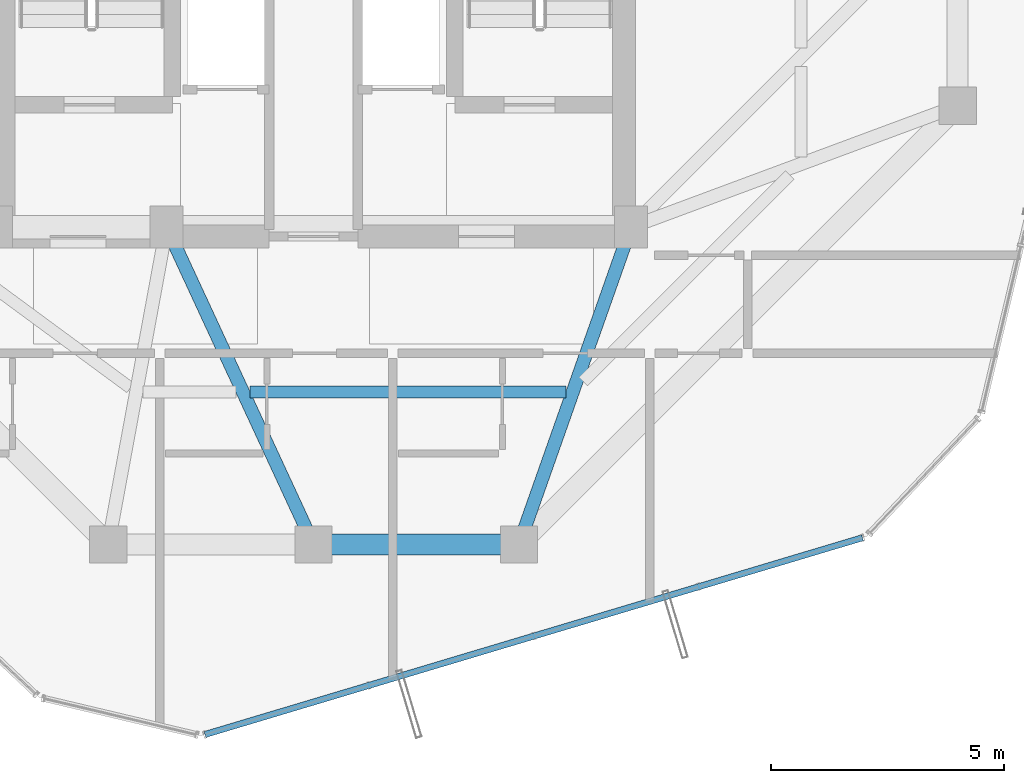
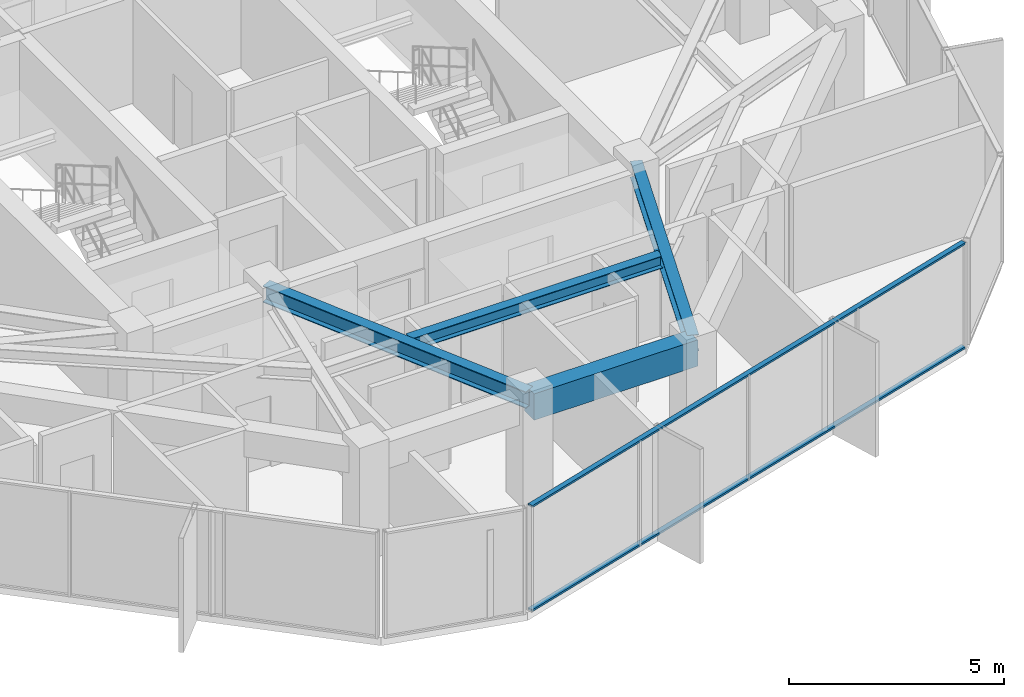
# One storey, part 8 of 28: 4 beams, 2 members, 1 element without a shape of its own.
"""IFC4 building model written with IfcOpenShell, lengths in metres."""

from ifc_helpers import new_model, si_unit, direction, frame, origin, origin_2d, place, context, subcontext, project, spatial, rectangle, hollow_rectangle, i_section, extrude, source, transform, mapped, material, layer, layer_set, material_profile, profile_set, type_object, element, aggregate, save


model = new_model("IFC4")

# Units and contexts
model_context = context("Model", 3, precision=1e-05, world=origin(), true_north=direction((0.0, 1.0)))
body_context = subcontext(model_context, "Body", "Model", "MODEL_VIEW")
ifc_project = project(units=[si_unit("LENGTHUNIT", "METRE"), si_unit("AREAUNIT", "SQUARE_METRE"), si_unit("VOLUMEUNIT", "CUBIC_METRE"), si_unit("PLANEANGLEUNIT", "RADIAN"), si_unit("MASSUNIT", "GRAM", prefix="KILO")], contexts=[model_context])

# Site, building, storey
site_placement = place(None, origin())
site = spatial("IfcSite", under=ifc_project, at=site_placement, CompositionType="ELEMENT")
building_placement = place(site_placement, origin())
building = spatial("IfcBuilding", under=site, at=building_placement, Name="Veraguas Prism Commons", CompositionType="ELEMENT")
storey_placement = place(building_placement, frame((0.0, 0.0, 254.5)))
storey = spatial("IfcBuildingStorey", under=building, at=storey_placement, Name="L72", CompositionType="ELEMENT", Elevation=254.5)

# Beams
ifc_material_1 = material(Name="Concrete C50/60", Category="concrete")
ifc_material_profile_1 = material_profile(ifc_material_1, rectangle(XDim=0.449951171875, YDim=0.75, at=origin_2d()), Name="RC450X750")
ifc_profile_set_1 = profile_set([ifc_material_profile_1], Name="Concrete C50/60")
beam_type_1 = type_object("IfcBeamType", Name="Perimeter Spandrel Upper RC 450x750", PredefinedType="SPANDREL", material=ifc_profile_set_1)
beam_1_placement = place(storey_placement, frame((24.0, 10.199951171875, 2.639892578125), z_axis=(1.0, 0.0, 0.0), x_axis=(0.0, 1.0, 0.0)))
element("IfcBeam", 1, at=beam_1_placement, inside=storey, type_object=beam_type_1, Name="Perimeter Spandrel Beam L72-SP11", PredefinedType="SPANDREL", context=body_context, shape_type="SweptSolid", body=[
    extrude(rectangle(XDim=0.449951171875, YDim=0.75, at=origin_2d()), origin(), (0.0, 0.0, 1.0), 4.39990234375),
])
ifc_material_2 = material(Name="Steel ASTM A992 Grade 50", Category="steel")
ifc_material_profile_2 = material_profile(ifc_material_2, i_section(OverallWidth=0.25390625, OverallDepth=0.35302734375, WebThickness=0.009521484375, FlangeThickness=0.016357421875, at=origin_2d()), Name="W360X91")
ifc_profile_set_2 = profile_set([ifc_material_profile_2], Name="Steel ASTM A992 Grade 50")
beam_type_2 = type_object("IfcBeamType", Name="Upper Floor Joist W360x91", PredefinedType="JOIST", material=ifc_profile_set_2)
beam_2_placement = place(storey_placement, frame((22.6416015625, 13.464111328125, 2.83837890625), z_axis=(1.0, 0.0, 0.0), x_axis=(0.0, 1.0, 0.0)))
element("IfcBeam", 2, at=beam_2_placement, inside=storey, type_object=beam_type_2, Name="Composite Floor Joist L72-JS11", PredefinedType="JOIST", context=body_context, shape_type="SweptSolid", body=[
    extrude(i_section(OverallWidth=0.25390625, OverallDepth=0.35302734375, WebThickness=0.009521484375, FlangeThickness=0.016357421875, at=origin_2d()), origin(), (0.0, 0.0, 1.0), 6.762451171875),
])
ifc_material_profile_3 = material_profile(ifc_material_2, i_section(OverallWidth=0.282958984375, OverallDepth=0.471923828125, WebThickness=0.013671875, FlangeThickness=0.022216796875, at=origin_2d()), Name="W460X144")
ifc_profile_set_3 = profile_set([ifc_material_profile_3], Name="Steel ASTM A992 Grade 50")
beam_type_3 = type_object("IfcBeamType", Name="Zone 4 Radial Girder W460x144", PredefinedType="BEAM", material=ifc_profile_set_3)
beam_3_placement = place(storey_placement, frame((24.0, 10.199951171875, 2.779052734375), z_axis=(-0.420313834543, 0.907378796585, 0.0), x_axis=(-0.907378796585, -0.420313834543, 0.0)))
element("IfcBeam", 3, at=beam_3_placement, inside=storey, type_object=beam_type_3, Name="Radial Floor Girder L72-RD11", PredefinedType="BEAM", context=body_context, shape_type="SweptSolid", body=[
    extrude(i_section(OverallWidth=0.282958984375, OverallDepth=0.471923828125, WebThickness=0.013671875, FlangeThickness=0.022216796875, at=origin_2d()), origin(), (0.0, 0.0, 1.0), 7.494140625),
])
beam_4_placement = place(storey_placement, frame((28.39990234375, 10.199951171875, 2.779052734375), z_axis=(0.332836055941, 0.942984708182, 0.0), x_axis=(-0.942984708182, 0.332836055941, 0.0)))
element("IfcBeam", 4, at=beam_4_placement, inside=storey, type_object=beam_type_3, Name="Radial Floor Girder L72-RD12", PredefinedType="BEAM", context=body_context, shape_type="SweptSolid", body=[
    extrude(i_section(OverallWidth=0.282958984375, OverallDepth=0.471923828125, WebThickness=0.013671875, FlangeThickness=0.022216796875, at=origin_2d()), origin(), (0.0, 0.0, 1.0), 7.211181640625),
])

# Curtain wall, members
ifc_material_3 = material(Name="Anodised aluminium EN AW-6063 T6", Category="aluminium")
ifc_layer = layer(ifc_material_3, 0.14990234375, Name="Unitised Flush Curtain Wall Zone 4", Category="aluminium")
ifc_layer_set = layer_set([ifc_layer], Name="Anodised aluminium EN AW-6063 T6")
curtain_wall_type = type_object("IfcCurtainWallType", Name="Unitised Flush Curtain Wall Zone 4", PredefinedType="NOTDEFINED", material=ifc_layer_set)
curtain_wall_placement = place(storey_placement, origin())
curtain_wall = element("IfcCurtainWall", 5, at=curtain_wall_placement, inside=storey, type_object=curtain_wall_type, Name="Tower Facade Curtain Wall L72-F5", PredefinedType="NOTDEFINED")
ifc_material_profile_4 = material_profile(ifc_material_3, hollow_rectangle(XDim=0.054931640625, YDim=0.135009765625, WallThickness=0.0029296875, at=origin_2d()), Name="AL55X135X3")
ifc_profile_set_4 = profile_set([ifc_material_profile_4], Name="Anodised aluminium EN AW-6063 T6")
member_type = type_object("IfcMemberType", Name="Curtain Wall Transom Standard AL 55x135x3", PredefinedType="USERDEFINED", material=ifc_profile_set_4)
shared_shape = source(origin(), body_context, "Body", "SweptSolid", [
    extrude(hollow_rectangle(XDim=0.054931640625, YDim=0.135009765625, WallThickness=0.0029296875, at=origin_2d()), origin(), (0.0, 0.0, 1.0), 14.706298828125),
])
member_1_placement = place(storey_placement, frame((21.6728515625, 6.128173828125, 0.027587890625), z_axis=(0.958025722602, 0.28668225413, 0.0), x_axis=(0.0, 0.0, 1.0)))
member_1 = element("IfcMember", 6, at=member_1_placement, type_object=member_type, Name="CW-Z4 Transom 1", ObjectType="TRANSOM", PredefinedType="USERDEFINED", context=body_context, shape_type="MappedRepresentation", body=[
    mapped(shared_shape, transform((0.0, 0.0, 0.0), scale=1.0)),
])
member_2_placement = place(storey_placement, frame((21.6728515625, 6.128173828125, 2.987548828125), z_axis=(0.958025722602, 0.28668225413, 0.0), x_axis=(0.0, 0.0, 1.0)))
member_2 = element("IfcMember", 7, at=member_2_placement, type_object=member_type, Name="CW-Z4 Transom 2", ObjectType="TRANSOM", PredefinedType="USERDEFINED", context=body_context, shape_type="MappedRepresentation", body=[
    mapped(shared_shape, transform((0.0, 0.0, 0.0), scale=1.0)),
])
aggregate(curtain_wall, [member_1, member_2])

save(model, "model.ifc")
